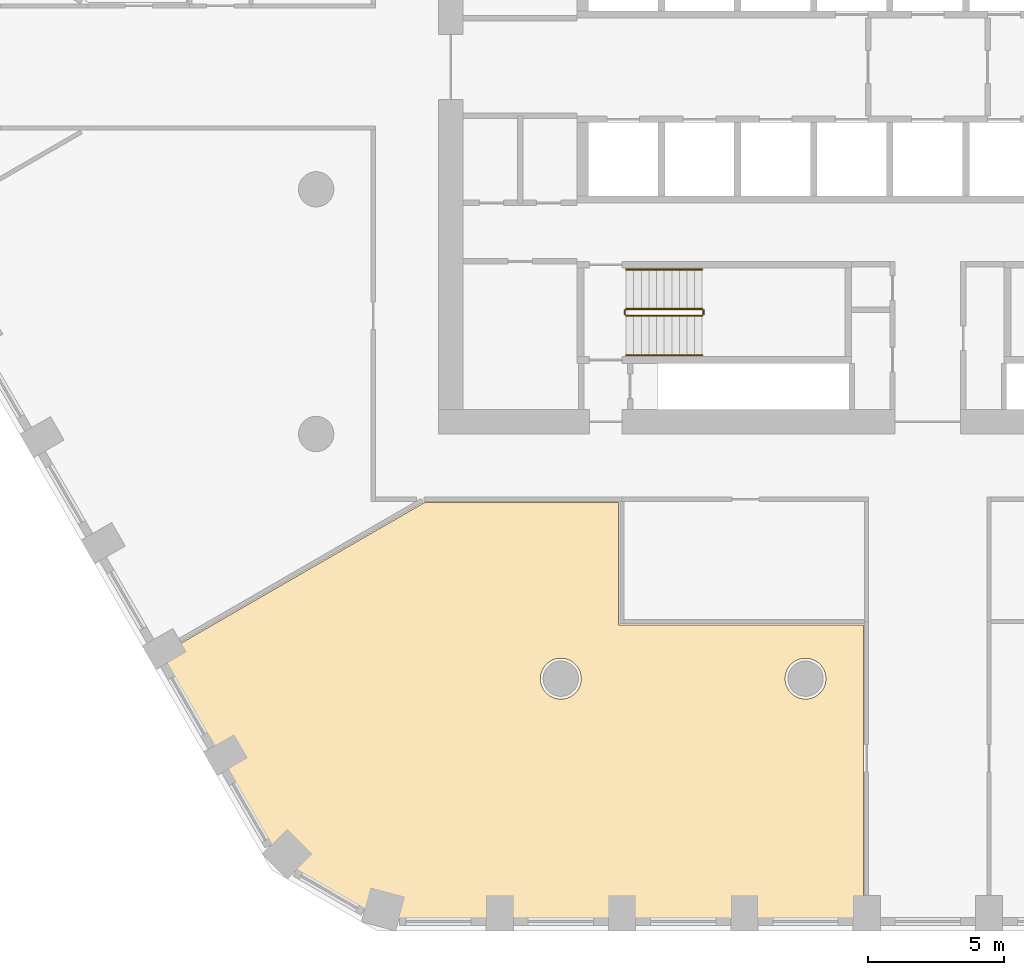
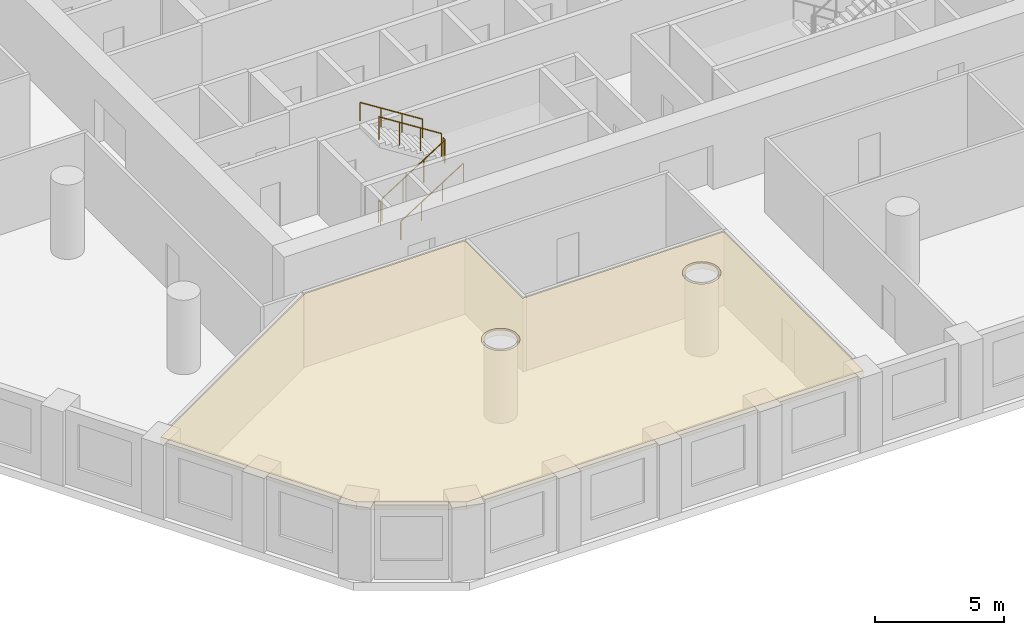
# One storey, part 10 of 14: 6 railings, 1 covering.
"""IFC4 building model written with IfcOpenShell, lengths in metres."""

from ifc_helpers import new_model, si_unit, direction, frame, origin, origin_2d, place, context, subcontext, project, spatial, polyline, circle, outline, extrude, material, layer, layer_set, type_object, element, save


model = new_model("IFC4")

# Units and contexts
model_context = context("Model", 3, precision=1e-05, world=origin(), true_north=direction((0.0, 1.0)))
body_context = subcontext(model_context, "Body", "Model", "MODEL_VIEW")
ifc_project = project(units=[si_unit("LENGTHUNIT", "METRE"), si_unit("AREAUNIT", "SQUARE_METRE"), si_unit("VOLUMEUNIT", "CUBIC_METRE"), si_unit("PLANEANGLEUNIT", "RADIAN"), si_unit("MASSUNIT", "GRAM", prefix="KILO")], contexts=[model_context])

# Site, building, storey
site_placement = place(None, origin())
site = spatial("IfcSite", under=ifc_project, at=site_placement, CompositionType="ELEMENT")
building_placement = place(site_placement, origin())
building = spatial("IfcBuilding", under=site, at=building_placement, Name="Dhurran Vertical Campus", CompositionType="ELEMENT")
storey_placement = place(building_placement, frame((0.0, 0.0, 93.0)))
storey = spatial("IfcBuildingStorey", under=building, at=storey_placement, Name="L22", CompositionType="ELEMENT", Elevation=93.0)

# Railings
ifc_material_1 = material(Name="Stainless steel balustrade", Category="steel")
railing_type_1 = type_object("IfcRailingType", Name="co-RL-GUARD-1100", PredefinedType="GUARDRAIL", material=ifc_material_1)
railing_1_placement = place(storey_placement, frame((-11.10009765625, -9.14990234375, 0.17724609375)))
element("IfcRailing", 1, at=railing_1_placement, inside=storey, type_object=railing_type_1, Name="L22 ST3 stair guard 1", PredefinedType="GUARDRAIL", context=body_context, shape_type="SweptSolid", body=[
    extrude(circle(Radius=0.02392578125, at=origin_2d()), frame((0.0, 0.0, 1.076171875), z_axis=(0.844908973607, 0.0, 0.534910110503), x_axis=(0.0, 1.0, 0.0)), (0.0, 0.0, 1.0), 3.31396484375),
    extrude(circle(Radius=0.02099609375, at=origin_2d()), origin(), (0.0, 0.0, 1.0), 1.052001953125),
    extrude(circle(Radius=0.02099609375, at=origin_2d()), frame((0.933349609375, 0.0, 0.5908203125)), (0.0, 0.0, 1.0), 1.052001953125),
    extrude(circle(Radius=0.02099609375, at=origin_2d()), frame((1.86669921875, 0.0, 1.181884765625)), (0.0, 0.0, 1.0), 1.052001953125),
    extrude(circle(Radius=0.02099609375, at=origin_2d()), frame((2.800048828125, 0.0, 1.772705078125)), (0.0, 0.0, 1.0), 1.052001953125),
])
railing_2_placement = place(storey_placement, frame((-8.25, -9.10009765625, 1.949951171875)))
element("IfcRailing", 2, at=railing_2_placement, inside=storey, type_object=railing_type_1, Name="L22 ST3 stair guard 2", PredefinedType="GUARDRAIL", context=body_context, shape_type="SweptSolid", body=[
    extrude(circle(Radius=0.02392578125, at=origin_2d()), frame((0.0, 0.0, 1.076171875), z_axis=(0.0, 1.0, 0.0), x_axis=(-1.0, 0.0, 0.0)), (0.0, 0.0, 1.0), 0.150146484375),
    extrude(circle(Radius=0.02099609375, at=origin_2d()), origin(), (0.0, 0.0, 1.0), 1.052001953125),
    extrude(circle(Radius=0.02099609375, at=origin_2d()), frame((0.0, 0.150146484375, 0.0)), (0.0, 0.0, 1.0), 1.052001953125),
])
railing_3_placement = place(storey_placement, frame((-8.300048828125, -8.89990234375, 2.127197265625)))
element("IfcRailing", 3, at=railing_3_placement, inside=storey, type_object=railing_type_1, Name="L22 ST3 stair guard 3", PredefinedType="GUARDRAIL", context=body_context, shape_type="SweptSolid", body=[
    extrude(circle(Radius=0.02392578125, at=origin_2d()), frame((0.0, 0.0, 1.076171875), z_axis=(-0.844908973607, 0.0, 0.534910110503), x_axis=(0.0, -1.0, 0.0)), (0.0, 0.0, 1.0), 3.31396484375),
    extrude(circle(Radius=0.02099609375, at=origin_2d()), origin(), (0.0, 0.0, 1.0), 1.052001953125),
    extrude(circle(Radius=0.02099609375, at=origin_2d()), frame((-0.933349609375, 0.0, 0.5908203125)), (0.0, 0.0, 1.0), 1.052001953125),
    extrude(circle(Radius=0.02099609375, at=origin_2d()), frame((-1.86669921875, 0.0, 1.181884765625)), (0.0, 0.0, 1.0), 1.052001953125),
    extrude(circle(Radius=0.02099609375, at=origin_2d()), frame((-2.800048828125, 0.0, 1.772705078125)), (0.0, 0.0, 1.0), 1.052001953125),
])
railing_4_placement = place(storey_placement, frame((-11.14990234375, -9.10009765625, 0.0)))
element("IfcRailing", 4, at=railing_4_placement, inside=storey, type_object=railing_type_1, Name="L22 ST3 stair guard 4", PredefinedType="GUARDRAIL", context=body_context, shape_type="SweptSolid", body=[
    extrude(circle(Radius=0.02392578125, at=origin_2d()), frame((0.0, 0.0, 1.076171875), z_axis=(0.0, 1.0, 0.0), x_axis=(-1.0, 0.0, 0.0)), (0.0, 0.0, 1.0), 0.150146484375),
    extrude(circle(Radius=0.02099609375, at=origin_2d()), origin(), (0.0, 0.0, 1.0), 1.052001953125),
    extrude(circle(Radius=0.02099609375, at=origin_2d()), frame((0.0, 0.150146484375, 0.0)), (0.0, 0.0, 1.0), 1.052001953125),
])
ifc_material_2 = material(Name="Stainless steel handrail", Category="steel")
railing_type_2 = type_object("IfcRailingType", Name="co-RL-HANDRAIL-900", PredefinedType="HANDRAIL", material=ifc_material_2)
railing_5_placement = place(storey_placement, frame((-11.10009765625, -10.60009765625, 0.17724609375)))
element("IfcRailing", 5, at=railing_5_placement, inside=storey, type_object=railing_type_2, Name="L22 ST3 stair handrail 1", PredefinedType="HANDRAIL", context=body_context, shape_type="SweptSolid", body=[
    extrude(circle(Radius=0.02392578125, at=origin_2d()), frame((0.0, 0.0, 0.8759765625), z_axis=(0.844908973607, 0.0, 0.534910110503), x_axis=(0.0, 1.0, 0.0)), (0.0, 0.0, 1.0), 3.31396484375),
    extrude(circle(Radius=0.02099609375, at=origin_2d()), origin(), (0.0, 0.0, 1.0), 0.851806640625),
    extrude(circle(Radius=0.02099609375, at=origin_2d()), frame((0.933349609375, 0.0, 0.5908203125)), (0.0, 0.0, 1.0), 0.851806640625),
    extrude(circle(Radius=0.02099609375, at=origin_2d()), frame((1.86669921875, 0.0, 1.181884765625)), (0.0, 0.0, 1.0), 0.851806640625),
    extrude(circle(Radius=0.02099609375, at=origin_2d()), frame((2.800048828125, 0.0, 1.772705078125)), (0.0, 0.0, 1.0), 0.851806640625),
])
railing_6_placement = place(storey_placement, frame((-8.300048828125, -7.449951171875, 2.127197265625)))
element("IfcRailing", 6, at=railing_6_placement, inside=storey, type_object=railing_type_2, Name="L22 ST3 stair handrail 2", PredefinedType="HANDRAIL", context=body_context, shape_type="SweptSolid", body=[
    extrude(circle(Radius=0.02392578125, at=origin_2d()), frame((0.0, 0.0, 0.8759765625), z_axis=(-0.844908973607, 0.0, 0.534910110503), x_axis=(0.0, -1.0, 0.0)), (0.0, 0.0, 1.0), 3.31396484375),
    extrude(circle(Radius=0.02099609375, at=origin_2d()), origin(), (0.0, 0.0, 1.0), 0.851806640625),
    extrude(circle(Radius=0.02099609375, at=origin_2d()), frame((-0.933349609375, 0.0, 0.5908203125)), (0.0, 0.0, 1.0), 0.851806640625),
    extrude(circle(Radius=0.02099609375, at=origin_2d()), frame((-1.86669921875, 0.0, 1.181884765625)), (0.0, 0.0, 1.0), 0.851806640625),
    extrude(circle(Radius=0.02099609375, at=origin_2d()), frame((-2.800048828125, 0.0, 1.772705078125)), (0.0, 0.0, 1.0), 0.851806640625),
])

# Covering
ifc_material_3 = material(Name="Mineral fibre ceiling tiles on suspended grid")
ifc_layer = layer(ifc_material_3, 0.35009765625)
ifc_layer_set = layer_set([ifc_layer], Name="Mineral fibre ceiling tiles on suspended grid")
covering_type = type_object("IfcCoveringType", Name="fl-CE-350 suspended ceiling", PredefinedType="CEILING", material=ifc_layer_set)
covering_placement = place(storey_placement, frame((0.0, 0.0, 3.175048828125)))
element("IfcCovering", 7, at=covering_placement, inside=storey, type_object=covering_type, Name="Ceiling 22-10", PredefinedType="CEILING", context=body_context, shape_type="SweptSolid", body=[
    extrude(outline(polyline([(-2.3701171875, -20.52001953125), (-2.3701171875, -31.360107421875), (-20.137939453125, -31.360107421875), (-23.839111328125, -29.221923828125), (-28.222900390625, -21.6298828125), (-18.508056640625, -16.02001953125), (-11.3701171875, -16.02001953125), (-11.3701171875, -20.52001953125), (-2.3701171875, -20.52001953125)]), holes=[polyline([(-13.212890625, -21.806884765625), (-13.281982421875, -21.781982421875), (-13.35400390625, -21.763916015625), (-13.426025390625, -21.75390625), (-13.5, -21.75), (-13.573974609375, -21.75390625), (-13.64599609375, -21.763916015625), (-13.718017578125, -21.781982421875), (-13.787109375, -21.806884765625), (-13.85400390625, -21.839111328125), (-13.9169921875, -21.8759765625), (-13.97607421875, -21.919921875), (-14.030029296875, -21.969970703125), (-14.080078125, -22.02392578125), (-14.1240234375, -22.0830078125), (-14.160888671875, -22.14599609375), (-14.193115234375, -22.212890625), (-14.218017578125, -22.281982421875), (-14.236083984375, -22.35400390625), (-14.24609375, -22.426025390625), (-14.25, -22.5), (-14.24609375, -22.573974609375), (-14.236083984375, -22.64599609375), (-14.218017578125, -22.718017578125), (-14.193115234375, -22.787109375), (-14.160888671875, -22.85400390625), (-14.1240234375, -22.9169921875), (-14.080078125, -22.97607421875), (-14.030029296875, -23.030029296875), (-13.97607421875, -23.080078125), (-13.9169921875, -23.1240234375), (-13.85400390625, -23.160888671875), (-13.787109375, -23.193115234375), (-13.718017578125, -23.218017578125), (-13.64599609375, -23.236083984375), (-13.573974609375, -23.24609375), (-13.5, -23.25), (-13.426025390625, -23.24609375), (-13.35400390625, -23.236083984375), (-13.281982421875, -23.218017578125), (-13.212890625, -23.193115234375), (-13.14599609375, -23.160888671875), (-13.0830078125, -23.1240234375), (-13.02392578125, -23.080078125), (-12.969970703125, -23.030029296875), (-12.919921875, -22.97607421875), (-12.8759765625, -22.9169921875), (-12.839111328125, -22.85400390625), (-12.806884765625, -22.787109375), (-12.781982421875, -22.718017578125), (-12.763916015625, -22.64599609375), (-12.75390625, -22.573974609375), (-12.75, -22.5), (-12.75390625, -22.426025390625), (-12.763916015625, -22.35400390625), (-12.781982421875, -22.281982421875), (-12.806884765625, -22.212890625), (-12.839111328125, -22.14599609375), (-12.8759765625, -22.0830078125), (-12.919921875, -22.02392578125), (-12.969970703125, -21.969970703125), (-13.02392578125, -21.919921875), (-13.0830078125, -21.8759765625), (-13.14599609375, -21.839111328125), (-13.212890625, -21.806884765625)]), polyline([(-4.0830078125, -21.8759765625), (-4.14599609375, -21.839111328125), (-4.212890625, -21.806884765625), (-4.281982421875, -21.781982421875), (-4.35400390625, -21.763916015625), (-4.426025390625, -21.75390625), (-4.5, -21.75), (-4.573974609375, -21.75390625), (-4.64599609375, -21.763916015625), (-4.718017578125, -21.781982421875), (-4.787109375, -21.806884765625), (-4.85400390625, -21.839111328125), (-4.9169921875, -21.8759765625), (-4.97607421875, -21.919921875), (-5.030029296875, -21.969970703125), (-5.080078125, -22.02392578125), (-5.1240234375, -22.0830078125), (-5.160888671875, -22.14599609375), (-5.193115234375, -22.212890625), (-5.218017578125, -22.281982421875), (-5.236083984375, -22.35400390625), (-5.24609375, -22.426025390625), (-5.25, -22.5), (-5.24609375, -22.573974609375), (-5.236083984375, -22.64599609375), (-5.218017578125, -22.718017578125), (-5.193115234375, -22.787109375), (-5.160888671875, -22.85400390625), (-5.1240234375, -22.9169921875), (-5.080078125, -22.97607421875), (-5.030029296875, -23.030029296875), (-4.97607421875, -23.080078125), (-4.9169921875, -23.1240234375), (-4.85400390625, -23.160888671875), (-4.787109375, -23.193115234375), (-4.718017578125, -23.218017578125), (-4.64599609375, -23.236083984375), (-4.573974609375, -23.24609375), (-4.5, -23.25), (-4.426025390625, -23.24609375), (-4.35400390625, -23.236083984375), (-4.281982421875, -23.218017578125), (-4.212890625, -23.193115234375), (-4.14599609375, -23.160888671875), (-4.0830078125, -23.1240234375), (-4.02392578125, -23.080078125), (-3.969970703125, -23.030029296875), (-3.919921875, -22.97607421875), (-3.8759765625, -22.9169921875), (-3.839111328125, -22.85400390625), (-3.806884765625, -22.787109375), (-3.781982421875, -22.718017578125), (-3.763916015625, -22.64599609375), (-3.75390625, -22.573974609375), (-3.75, -22.5), (-3.75390625, -22.426025390625), (-3.763916015625, -22.35400390625), (-3.781982421875, -22.281982421875), (-3.806884765625, -22.212890625), (-3.839111328125, -22.14599609375), (-3.8759765625, -22.0830078125), (-3.919921875, -22.02392578125), (-3.969970703125, -21.969970703125), (-4.02392578125, -21.919921875), (-4.0830078125, -21.8759765625)])]), origin(), (0.0, 0.0, 1.0), 0.349853515625),
])

save(model, "model.ifc")
